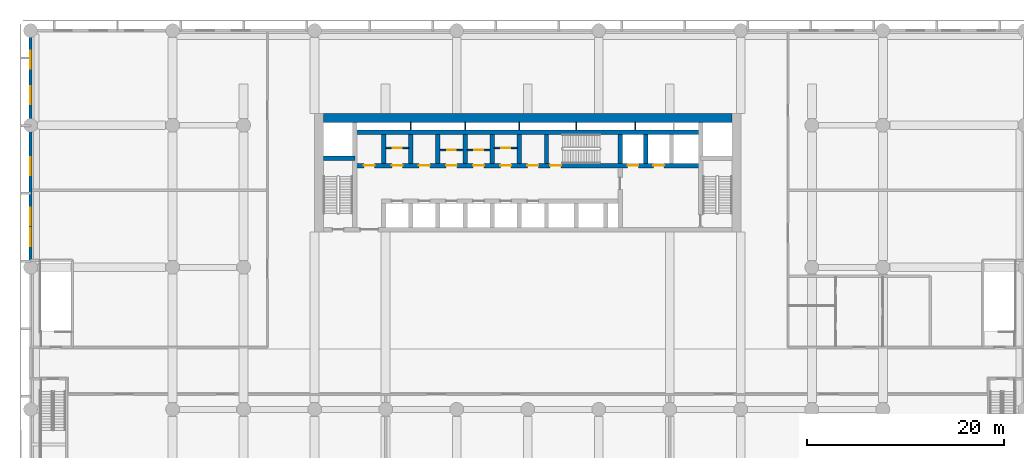
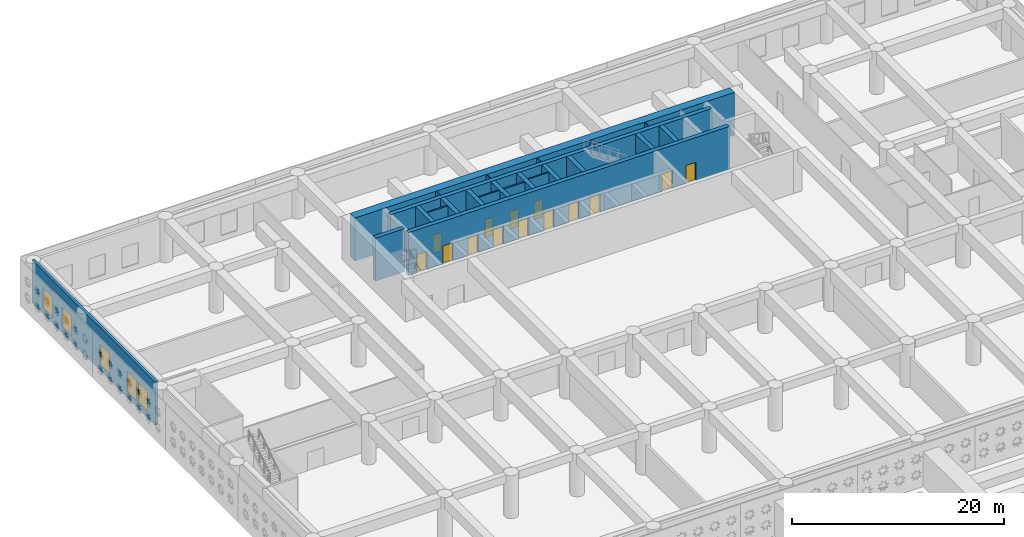
# One storey, part 7 of 24: 23 walls, 14 doors, 5 windows, 19 openings.
"""IFC4 building model written with IfcOpenShell, lengths in metres."""

from ifc_helpers import new_model, si_unit, direction, frame, frame_2d, origin, place, context, subcontext, project, spatial, rectangle, extrude, material, layer, layer_set, type_object, element, fill, save


model = new_model("IFC4")

# Units and contexts
model_context = context("Model", 3, precision=1e-05, world=origin(), true_north=direction((0.0, 1.0)))
body_context = subcontext(model_context, "Body", "Model", "MODEL_VIEW")
ifc_project = project(units=[si_unit("LENGTHUNIT", "METRE"), si_unit("AREAUNIT", "SQUARE_METRE"), si_unit("VOLUMEUNIT", "CUBIC_METRE"), si_unit("PLANEANGLEUNIT", "RADIAN"), si_unit("MASSUNIT", "GRAM", prefix="KILO")], contexts=[model_context])

# Site, building, storey
site_placement = place(None, origin())
site = spatial("IfcSite", under=ifc_project, at=site_placement, CompositionType="ELEMENT")
building_placement = place(site_placement, origin())
building = spatial("IfcBuilding", under=site, at=building_placement, Name="Saffron Iwan Residences", CompositionType="ELEMENT")
storey_placement = place(building_placement, frame((0.0, 0.0, 21.60009765625)))
storey = spatial("IfcBuildingStorey", under=building, at=storey_placement, Name="L04", CompositionType="ELEMENT", Elevation=21.60009765625)

# Wall, opening, door
ifc_material_1 = material(Name="Fire-rated plasterboard partition")
ifc_layer_1 = layer(ifc_material_1, 0.14990234375)
ifc_layer_set_1 = layer_set([ifc_layer_1], Name="Fire-rated plasterboard partition")
wall_type_1 = type_object("IfcWallType", Name="Core partition 150", PredefinedType="PARTITIONING", material=ifc_layer_set_1)
wall_1_placement = place(storey_placement, frame((36.02490234375, 74.51806640625, 0.0), z_axis=(0.0, 0.0, 1.0), x_axis=(1.0, 0.0, 0.0)))
wall_1 = element("IfcWall", 1, at=wall_1_placement, inside=storey, type_object=wall_type_1, Name="Core partition P01", PredefinedType="PARTITIONING", context=body_context, shape_type="SweptSolid", body=[
    extrude(rectangle(XDim=2.300048828125, YDim=0.14990234375, at=frame_2d((1.14990234375, 0.0))), origin(), (0.0, 0.0, 1.0), 4.949951171875),
])
opening_1_placement = place(wall_1_placement, frame((0.699951171875, 0.0, 0.0)))
opening_1 = element("IfcOpeningElement", 2, at=opening_1_placement, cuts=wall_1, Name="Opening SB", PredefinedType="OPENING", context=body_context, shape_type="SweptSolid", body=[
    extrude(rectangle(XDim=0.89990234375, YDim=2.10009765625, at=frame_2d((0.449951171875, 1.050048828125))), frame((0.0, 0.0849609375, 0.0), z_axis=(0.0, -1.0, 0.0), x_axis=(1.0, 0.0, 0.0)), (0.0, 0.0, 1.0), 0.169921875),
])
ifc_material_2 = material(Name="Steel fire door", Category="steel")
door_type_1 = type_object("IfcDoorType", Name="Store door 900", OperationType="NOTDEFINED", PredefinedType="DOOR", material=ifc_material_2)
door_1_placement = place(opening_1_placement, origin())
door_1 = element("IfcDoor", 3, at=door_1_placement, inside=storey, type_object=door_type_1, Name="Door Equipment store", OperationType="SINGLE_SWING_RIGHT", OverallHeight=2.10009765625, OverallWidth=0.89990234375, PredefinedType="DOOR", context=body_context, shape_type="SweptSolid", body=[
    extrude(rectangle(XDim=0.89990234375, YDim=2.10009765625, at=frame_2d((0.449951171875, 1.050048828125))), frame((0.0, 0.02490234375, 0.0), z_axis=(0.0, -1.0, 0.0), x_axis=(1.0, 0.0, 0.0)), (0.0, 0.0, 1.0), 0.050048828125),
])
fill(opening_1, door_1)

wall_2_placement = place(storey_placement, frame((41.52490234375, 74.281982421875, 0.0), z_axis=(0.0, 0.0, 1.0), x_axis=(1.0, 0.0, 0.0)))
wall_2 = element("IfcWall", 4, at=wall_2_placement, inside=storey, type_object=wall_type_1, Name="Core partition P02", PredefinedType="PARTITIONING", context=body_context, shape_type="SweptSolid", body=[
    extrude(rectangle(XDim=2.300048828125, YDim=0.14990234375, at=frame_2d((1.14990234375, 0.0))), origin(), (0.0, 0.0, 1.0), 4.949951171875),
])
opening_2_placement = place(wall_2_placement, frame((0.699951171875, 0.0, 0.0)))
opening_2 = element("IfcOpeningElement", 5, at=opening_2_placement, cuts=wall_2, Name="Opening SB", PredefinedType="OPENING", context=body_context, shape_type="SweptSolid", body=[
    extrude(rectangle(XDim=0.89990234375, YDim=2.10009765625, at=frame_2d((0.449951171875, 1.050048828125))), frame((0.0, 0.0849609375, 0.0), z_axis=(0.0, -1.0, 0.0), x_axis=(1.0, 0.0, 0.0)), (0.0, 0.0, 1.0), 0.169921875),
])
door_2_placement = place(opening_2_placement, origin())
door_2 = element("IfcDoor", 6, at=door_2_placement, inside=storey, type_object=door_type_1, Name="Door Spares store", OperationType="SINGLE_SWING_LEFT", OverallHeight=2.10009765625, OverallWidth=0.89990234375, PredefinedType="DOOR", context=body_context, shape_type="SweptSolid", body=[
    extrude(rectangle(XDim=0.89990234375, YDim=2.10009765625, at=frame_2d((0.449951171875, 1.050048828125))), frame((0.0, 0.02490234375, 0.0), z_axis=(0.0, -1.0, 0.0), x_axis=(1.0, 0.0, 0.0)), (0.0, 0.0, 1.0), 0.050048828125),
])
fill(opening_2, door_2)

wall_3_placement = place(storey_placement, frame((44.27490234375, 74.281982421875, 0.0), z_axis=(0.0, 0.0, 1.0), x_axis=(1.0, 0.0, 0.0)))
wall_3 = element("IfcWall", 7, at=wall_3_placement, inside=storey, type_object=wall_type_1, Name="Core partition P03", PredefinedType="PARTITIONING", context=body_context, shape_type="SweptSolid", body=[
    extrude(rectangle(XDim=2.300048828125, YDim=0.14990234375, at=frame_2d((1.14990234375, 0.0))), origin(), (0.0, 0.0, 1.0), 4.949951171875),
])
opening_3_placement = place(wall_3_placement, frame((0.699951171875, 0.0, 0.0)))
opening_3 = element("IfcOpeningElement", 8, at=opening_3_placement, cuts=wall_3, Name="Opening SB", PredefinedType="OPENING", context=body_context, shape_type="SweptSolid", body=[
    extrude(rectangle(XDim=0.89990234375, YDim=2.10009765625, at=frame_2d((0.449951171875, 1.050048828125))), frame((0.0, 0.0849609375, 0.0), z_axis=(0.0, -1.0, 0.0), x_axis=(1.0, 0.0, 0.0)), (0.0, 0.0, 1.0), 0.169921875),
])
door_3_placement = place(opening_3_placement, origin())
door_3 = element("IfcDoor", 9, at=door_3_placement, inside=storey, type_object=door_type_1, Name="Door Battery room", OperationType="SINGLE_SWING_RIGHT", OverallHeight=2.10009765625, OverallWidth=0.89990234375, PredefinedType="DOOR", context=body_context, shape_type="SweptSolid", body=[
    extrude(rectangle(XDim=0.89990234375, YDim=2.10009765625, at=frame_2d((0.449951171875, 1.050048828125))), frame((0.0, 0.02490234375, 0.0), z_axis=(0.0, -1.0, 0.0), x_axis=(1.0, 0.0, 0.0)), (0.0, 0.0, 1.0), 0.050048828125),
])
fill(opening_3, door_3)

wall_4_placement = place(storey_placement, frame((47.02490234375, 74.51806640625, 0.0), z_axis=(0.0, 0.0, 1.0), x_axis=(1.0, 0.0, 0.0)))
wall_4 = element("IfcWall", 10, at=wall_4_placement, inside=storey, type_object=wall_type_1, Name="Core partition P04", PredefinedType="PARTITIONING", context=body_context, shape_type="SweptSolid", body=[
    extrude(rectangle(XDim=2.300048828125, YDim=0.14990234375, at=frame_2d((1.14990234375, 0.0))), origin(), (0.0, 0.0, 1.0), 4.949951171875),
])
opening_4_placement = place(wall_4_placement, frame((0.699951171875, 0.0, 0.0)))
opening_4 = element("IfcOpeningElement", 11, at=opening_4_placement, cuts=wall_4, Name="Opening SB", PredefinedType="OPENING", context=body_context, shape_type="SweptSolid", body=[
    extrude(rectangle(XDim=0.89990234375, YDim=2.10009765625, at=frame_2d((0.449951171875, 1.050048828125))), frame((0.0, 0.0849609375, 0.0), z_axis=(0.0, -1.0, 0.0), x_axis=(1.0, 0.0, 0.0)), (0.0, 0.0, 1.0), 0.169921875),
])
door_4_placement = place(opening_4_placement, origin())
door_4 = element("IfcDoor", 12, at=door_4_placement, inside=storey, type_object=door_type_1, Name="Door Records store", OperationType="SINGLE_SWING_RIGHT", OverallHeight=2.10009765625, OverallWidth=0.89990234375, PredefinedType="DOOR", context=body_context, shape_type="SweptSolid", body=[
    extrude(rectangle(XDim=0.89990234375, YDim=2.10009765625, at=frame_2d((0.449951171875, 1.050048828125))), frame((0.0, 0.02490234375, 0.0), z_axis=(0.0, -1.0, 0.0), x_axis=(1.0, 0.0, 0.0)), (0.0, 0.0, 1.0), 0.050048828125),
])
fill(opening_4, door_4)

# Wall, openings, windows
ifc_material_3 = material(Name="Precast concrete C40/50", Category="concrete")
ifc_layer_2 = layer(ifc_material_3, 0.300048828125)
ifc_layer_set_2 = layer_set([ifc_layer_2], Name="Precast concrete C40/50")
wall_type_2 = type_object("IfcWallType", Name="Podium external wall 300", PredefinedType="SOLIDWALL", material=ifc_layer_set_2)
wall_5_placement = place(storey_placement, frame((0.0, 63.10009765625, 0.0), z_axis=(0.0, 0.0, 1.0), x_axis=(0.0, 1.0, 0.0)))
wall_5 = element("IfcWall", 13, at=wall_5_placement, inside=storey, type_object=wall_type_2, Name="W-L04-020", PredefinedType="SOLIDWALL", context=body_context, shape_type="SweptSolid", body=[
    extrude(rectangle(XDim=23.2998046875, YDim=0.300048828125, at=frame_2d((11.64990234375, 0.0))), origin(), (0.0, 0.0, 1.0), 4.949951171875),
])
opening_5_placement = place(wall_5_placement, frame((1.449951171875, 0.0, 0.60009765625)))
opening_5 = element("IfcOpeningElement", 14, at=opening_5_placement, cuts=wall_5, Name="Opening W7", PredefinedType="OPENING", context=body_context, shape_type="SweptSolid", body=[
    extrude(rectangle(XDim=1.800048828125, YDim=2.39990234375, at=frame_2d((0.89990234375, 1.199951171875))), frame((0.0, 0.16015625, 0.0), z_axis=(0.0, -1.0, 0.0), x_axis=(1.0, 0.0, 0.0)), (0.0, 0.0, 1.0), 0.320068359375),
])
opening_6_placement = place(wall_5_placement, frame((3.550048828125, 0.0, 0.60009765625)))
opening_6 = element("IfcOpeningElement", 15, at=opening_6_placement, cuts=wall_5, Name="Opening W7", PredefinedType="OPENING", context=body_context, shape_type="SweptSolid", body=[
    extrude(rectangle(XDim=1.800048828125, YDim=2.39990234375, at=frame_2d((0.89990234375, 1.199951171875))), frame((0.0, 0.16015625, 0.0), z_axis=(0.0, -1.0, 0.0), x_axis=(1.0, 0.0, 0.0)), (0.0, 0.0, 1.0), 0.320068359375),
])
opening_7_placement = place(wall_5_placement, frame((8.64990234375, 0.0, 0.60009765625)))
opening_7 = element("IfcOpeningElement", 16, at=opening_7_placement, cuts=wall_5, Name="Opening W7", PredefinedType="OPENING", context=body_context, shape_type="SweptSolid", body=[
    extrude(rectangle(XDim=1.800048828125, YDim=2.39990234375, at=frame_2d((0.89990234375, 1.199951171875))), frame((0.0, 0.16015625, 0.0), z_axis=(0.0, -1.0, 0.0), x_axis=(1.0, 0.0, 0.0)), (0.0, 0.0, 1.0), 0.320068359375),
])
opening_8_placement = place(wall_5_placement, frame((15.85009765625, 0.0, 0.60009765625)))
opening_8 = element("IfcOpeningElement", 17, at=opening_8_placement, cuts=wall_5, Name="Opening W7", PredefinedType="OPENING", context=body_context, shape_type="SweptSolid", body=[
    extrude(rectangle(XDim=1.800048828125, YDim=2.39990234375, at=frame_2d((0.89990234375, 1.199951171875))), frame((0.0, 0.16015625, 0.0), z_axis=(0.0, -1.0, 0.0), x_axis=(1.0, 0.0, 0.0)), (0.0, 0.0, 1.0), 0.320068359375),
])
opening_9_placement = place(wall_5_placement, frame((19.449951171875, 0.0, 0.60009765625)))
opening_9 = element("IfcOpeningElement", 18, at=opening_9_placement, cuts=wall_5, Name="Opening W7", PredefinedType="OPENING", context=body_context, shape_type="SweptSolid", body=[
    extrude(rectangle(XDim=1.800048828125, YDim=2.39990234375, at=frame_2d((0.89990234375, 1.199951171875))), frame((0.0, 0.16015625, 0.0), z_axis=(0.0, -1.0, 0.0), x_axis=(1.0, 0.0, 0.0)), (0.0, 0.0, 1.0), 0.320068359375),
])
ifc_material_4 = material(Name="Clear glass, laminated double glazed", Category="glass")
window_type = type_object("IfcWindowType", Name="WINDOW 1800 x 2400 PODIUM", PartitioningType="DOUBLE_PANEL_VERTICAL", PredefinedType="WINDOW", material=ifc_material_4)
window_1_placement = place(opening_5_placement, origin())
window_1 = element("IfcWindow", 19, at=window_1_placement, inside=storey, type_object=window_type, Name="Window L04 W-L04-020.0", OverallHeight=2.39990234375, OverallWidth=1.800048828125, PartitioningType="DOUBLE_PANEL_VERTICAL", PredefinedType="WINDOW", context=body_context, shape_type="SweptSolid", body=[
    extrude(rectangle(XDim=1.800048828125, YDim=2.39990234375, at=frame_2d((0.89990234375, 1.199951171875))), frame((0.0, 0.030029296875, 0.0), z_axis=(0.0, -1.0, 0.0), x_axis=(1.0, 0.0, 0.0)), (0.0, 0.0, 1.0), 0.06005859375),
])
fill(opening_5, window_1)
window_2_placement = place(opening_6_placement, origin())
window_2 = element("IfcWindow", 20, at=window_2_placement, inside=storey, type_object=window_type, Name="Window L04 W-L04-020.1", OverallHeight=2.39990234375, OverallWidth=1.800048828125, PartitioningType="DOUBLE_PANEL_VERTICAL", PredefinedType="WINDOW", context=body_context, shape_type="SweptSolid", body=[
    extrude(rectangle(XDim=1.800048828125, YDim=2.39990234375, at=frame_2d((0.89990234375, 1.199951171875))), frame((0.0, 0.030029296875, 0.0), z_axis=(0.0, -1.0, 0.0), x_axis=(1.0, 0.0, 0.0)), (0.0, 0.0, 1.0), 0.06005859375),
])
fill(opening_6, window_2)
window_3_placement = place(opening_7_placement, origin())
window_3 = element("IfcWindow", 21, at=window_3_placement, inside=storey, type_object=window_type, Name="Window L04 W-L04-020.2", OverallHeight=2.39990234375, OverallWidth=1.800048828125, PartitioningType="DOUBLE_PANEL_VERTICAL", PredefinedType="WINDOW", context=body_context, shape_type="SweptSolid", body=[
    extrude(rectangle(XDim=1.800048828125, YDim=2.39990234375, at=frame_2d((0.89990234375, 1.199951171875))), frame((0.0, 0.030029296875, 0.0), z_axis=(0.0, -1.0, 0.0), x_axis=(1.0, 0.0, 0.0)), (0.0, 0.0, 1.0), 0.06005859375),
])
fill(opening_7, window_3)
window_4_placement = place(opening_8_placement, origin())
window_4 = element("IfcWindow", 22, at=window_4_placement, inside=storey, type_object=window_type, Name="Window L04 W-L04-020.3", OverallHeight=2.39990234375, OverallWidth=1.800048828125, PartitioningType="DOUBLE_PANEL_VERTICAL", PredefinedType="WINDOW", context=body_context, shape_type="SweptSolid", body=[
    extrude(rectangle(XDim=1.800048828125, YDim=2.39990234375, at=frame_2d((0.89990234375, 1.199951171875))), frame((0.0, 0.030029296875, 0.0), z_axis=(0.0, -1.0, 0.0), x_axis=(1.0, 0.0, 0.0)), (0.0, 0.0, 1.0), 0.06005859375),
])
fill(opening_8, window_4)
window_5_placement = place(opening_9_placement, origin())
window_5 = element("IfcWindow", 23, at=window_5_placement, inside=storey, type_object=window_type, Name="Window L04 W-L04-020.4", OverallHeight=2.39990234375, OverallWidth=1.800048828125, PartitioningType="DOUBLE_PANEL_VERTICAL", PredefinedType="WINDOW", context=body_context, shape_type="SweptSolid", body=[
    extrude(rectangle(XDim=1.800048828125, YDim=2.39990234375, at=frame_2d((0.89990234375, 1.199951171875))), frame((0.0, 0.030029296875, 0.0), z_axis=(0.0, -1.0, 0.0), x_axis=(1.0, 0.0, 0.0)), (0.0, 0.0, 1.0), 0.06005859375),
])
fill(opening_9, window_5)

# Walls
ifc_layer_3 = layer(ifc_material_1, 0.10009765625)
ifc_layer_set_3 = layer_set([ifc_layer_3], Name="Fire-rated plasterboard partition")
wall_type_3 = type_object("IfcWallType", Name="Riser partition 100", PredefinedType="PARTITIONING", material=ifc_layer_set_3)
for number, where, z_axis, x_axis, name in (
    (24, (38.550048828125, 76.324951171875, 0.0), (0.0, 0.0, 1.0), (0.0, 1.0, 0.0), "Core partition P05"),
    (25, (44.050048828125, 76.324951171875, 0.0), (0.0, 0.0, 1.0), (0.0, 1.0, 0.0), "Core partition P06"),
    (26, (49.550048828125, 76.324951171875, 0.0), (0.0, 0.0, 1.0), (0.0, 1.0, 0.0), "Core partition P07"),
    (27, (55.300048828125, 76.324951171875, 0.0), (0.0, 0.0, 1.0), (0.0, 1.0, 0.0), "Core partition P08"),
    (28, (61.300048828125, 76.324951171875, 0.0), (0.0, 0.0, 1.0), (0.0, 1.0, 0.0), "Core partition P09"),
):
    element("IfcWall", number, at=place(storey_placement, frame(where, z_axis=z_axis, x_axis=x_axis)), inside=storey, type_object=wall_type_3, Name=name, PredefinedType="PARTITIONING", context=body_context, shape_type="SweptSolid", body=[
        extrude(rectangle(XDim=0.775146484375, YDim=0.10009765625, at=frame_2d((0.3876953125, 0.0))), origin(), (0.0, 0.0, 1.0), 4.949951171875),
    ])

# Wall, openings, doors
ifc_material_5 = material(Name="Concrete C60/75", Category="concrete")
ifc_layer_4 = layer(ifc_material_5, 0.449951171875)
ifc_layer_set_4 = layer_set([ifc_layer_4], Name="Concrete C60/75")
wall_type_4 = type_object("IfcWallType", Name="WALL CORE 450 C60/75 4950 HIGH", PredefinedType="SHEAR", material=ifc_layer_set_4)
wall_6_placement = place(storey_placement, frame((32.875, 72.699951171875, 0.0), z_axis=(0.0, 0.0, 1.0), x_axis=(1.0, 0.0, 0.0)))
wall_6 = element("IfcWall", 29, at=wall_6_placement, inside=storey, type_object=wall_type_4, Name="Core wall", PredefinedType="SHEAR", context=body_context, shape_type="SweptSolid", body=[
    extrude(rectangle(XDim=35.050048828125, YDim=0.449951171875, at=frame_2d((17.52490234375, 0.0))), origin(), (0.0, 0.0, 1.0), 4.949951171875),
])
opening_10_placement = place(wall_6_placement, frame((19.800048828125, 0.0, 0.0)))
opening_10 = element("IfcOpeningElement", 30, at=opening_10_placement, cuts=wall_6, Name="Opening SD", PredefinedType="OPENING", context=body_context, shape_type="SweptSolid", body=[
    extrude(rectangle(XDim=1.10009765625, YDim=2.10009765625, at=frame_2d((0.550048828125, 1.050048828125))), frame((0.0, 0.23486328125, 0.0), z_axis=(0.0, -1.0, 0.0), x_axis=(1.0, 0.0, 0.0)), (0.0, 0.0, 1.0), 0.469970703125),
])
opening_11_placement = place(wall_6_placement, frame((27.64990234375, 0.0, 0.0)))
opening_11 = element("IfcOpeningElement", 31, at=opening_11_placement, cuts=wall_6, Name="Opening LD", PredefinedType="OPENING", context=body_context, shape_type="SweptSolid", body=[
    extrude(rectangle(XDim=1.10009765625, YDim=2.10009765625, at=frame_2d((0.550048828125, 1.050048828125))), frame((0.0, 0.23486328125, 0.0), z_axis=(0.0, -1.0, 0.0), x_axis=(1.0, 0.0, 0.0)), (0.0, 0.0, 1.0), 0.469970703125),
])
opening_12_placement = place(wall_6_placement, frame((30.25, 0.0, 0.0)))
opening_12 = element("IfcOpeningElement", 32, at=opening_12_placement, cuts=wall_6, Name="Opening LD", PredefinedType="OPENING", context=body_context, shape_type="SweptSolid", body=[
    extrude(rectangle(XDim=1.10009765625, YDim=2.10009765625, at=frame_2d((0.550048828125, 1.050048828125))), frame((0.0, 0.23486328125, 0.0), z_axis=(0.0, -1.0, 0.0), x_axis=(1.0, 0.0, 0.0)), (0.0, 0.0, 1.0), 0.469970703125),
])
opening_13_placement = place(wall_6_placement, frame((3.75, 0.0, 0.0)))
opening_13 = element("IfcOpeningElement", 33, at=opening_13_placement, cuts=wall_6, Name="Opening SR", PredefinedType="OPENING", context=body_context, shape_type="SweptSolid", body=[
    extrude(rectangle(XDim=1.10009765625, YDim=2.10009765625, at=frame_2d((0.550048828125, 1.050048828125))), frame((0.0, 0.23486328125, 0.0), z_axis=(0.0, -1.0, 0.0), x_axis=(1.0, 0.0, 0.0)), (0.0, 0.0, 1.0), 0.469970703125),
])
opening_14_placement = place(wall_6_placement, frame((6.5, 0.0, 0.0)))
opening_14 = element("IfcOpeningElement", 34, at=opening_14_placement, cuts=wall_6, Name="Opening SR", PredefinedType="OPENING", context=body_context, shape_type="SweptSolid", body=[
    extrude(rectangle(XDim=1.10009765625, YDim=2.10009765625, at=frame_2d((0.550048828125, 1.050048828125))), frame((0.0, 0.23486328125, 0.0), z_axis=(0.0, -1.0, 0.0), x_axis=(1.0, 0.0, 0.0)), (0.0, 0.0, 1.0), 0.469970703125),
])
opening_15_placement = place(wall_6_placement, frame((9.25, 0.0, 0.0)))
opening_15 = element("IfcOpeningElement", 35, at=opening_15_placement, cuts=wall_6, Name="Opening SR", PredefinedType="OPENING", context=body_context, shape_type="SweptSolid", body=[
    extrude(rectangle(XDim=1.10009765625, YDim=2.10009765625, at=frame_2d((0.550048828125, 1.050048828125))), frame((0.0, 0.23486328125, 0.0), z_axis=(0.0, -1.0, 0.0), x_axis=(1.0, 0.0, 0.0)), (0.0, 0.0, 1.0), 0.469970703125),
])
opening_16_placement = place(wall_6_placement, frame((12.0, 0.0, 0.0)))
opening_16 = element("IfcOpeningElement", 36, at=opening_16_placement, cuts=wall_6, Name="Opening SR", PredefinedType="OPENING", context=body_context, shape_type="SweptSolid", body=[
    extrude(rectangle(XDim=1.10009765625, YDim=2.10009765625, at=frame_2d((0.550048828125, 1.050048828125))), frame((0.0, 0.23486328125, 0.0), z_axis=(0.0, -1.0, 0.0), x_axis=(1.0, 0.0, 0.0)), (0.0, 0.0, 1.0), 0.469970703125),
])
opening_17_placement = place(wall_6_placement, frame((14.75, 0.0, 0.0)))
opening_17 = element("IfcOpeningElement", 37, at=opening_17_placement, cuts=wall_6, Name="Opening SR", PredefinedType="OPENING", context=body_context, shape_type="SweptSolid", body=[
    extrude(rectangle(XDim=1.10009765625, YDim=2.10009765625, at=frame_2d((0.550048828125, 1.050048828125))), frame((0.0, 0.23486328125, 0.0), z_axis=(0.0, -1.0, 0.0), x_axis=(1.0, 0.0, 0.0)), (0.0, 0.0, 1.0), 0.469970703125),
])
opening_18_placement = place(wall_6_placement, frame((17.5, 0.0, 0.0)))
opening_18 = element("IfcOpeningElement", 38, at=opening_18_placement, cuts=wall_6, Name="Opening SR", PredefinedType="OPENING", context=body_context, shape_type="SweptSolid", body=[
    extrude(rectangle(XDim=1.10009765625, YDim=2.10009765625, at=frame_2d((0.550048828125, 1.050048828125))), frame((0.0, 0.23486328125, 0.0), z_axis=(0.0, -1.0, 0.0), x_axis=(1.0, 0.0, 0.0)), (0.0, 0.0, 1.0), 0.469970703125),
])
opening_19_placement = place(wall_6_placement, frame((0.91259765625, 0.0, 0.0)))
opening_19 = element("IfcOpeningElement", 39, at=opening_19_placement, cuts=wall_6, Name="Opening SR", PredefinedType="OPENING", context=body_context, shape_type="SweptSolid", body=[
    extrude(rectangle(XDim=1.10009765625, YDim=2.10009765625, at=frame_2d((0.550048828125, 1.050048828125))), frame((0.0, 0.23486328125, 0.0), z_axis=(0.0, -1.0, 0.0), x_axis=(1.0, 0.0, 0.0)), (0.0, 0.0, 1.0), 0.469970703125),
])
door_type_2 = type_object("IfcDoorType", Name="Lift landing door 1100", OperationType="SLIDING_TO_LEFT", PredefinedType="DOOR", material=ifc_material_2)
door_5_placement = place(opening_11_placement, origin())
door_5 = element("IfcDoor", 40, at=door_5_placement, inside=storey, type_object=door_type_2, Name="Landing doors FF1", OperationType="SLIDING_TO_LEFT", OverallHeight=2.10009765625, OverallWidth=1.10009765625, PredefinedType="DOOR", context=body_context, shape_type="SweptSolid", body=[
    extrude(rectangle(XDim=1.10009765625, YDim=2.10009765625, at=frame_2d((0.550048828125, 1.050048828125))), frame((0.0, 0.02490234375, 0.0), z_axis=(0.0, -1.0, 0.0), x_axis=(1.0, 0.0, 0.0)), (0.0, 0.0, 1.0), 0.050048828125),
])
fill(opening_11, door_5)
door_6_placement = place(opening_12_placement, origin())
door_6 = element("IfcDoor", 41, at=door_6_placement, inside=storey, type_object=door_type_2, Name="Landing doors FF2", OperationType="SLIDING_TO_LEFT", OverallHeight=2.10009765625, OverallWidth=1.10009765625, PredefinedType="DOOR", context=body_context, shape_type="SweptSolid", body=[
    extrude(rectangle(XDim=1.10009765625, YDim=2.10009765625, at=frame_2d((0.550048828125, 1.050048828125))), frame((0.0, 0.02490234375, 0.0), z_axis=(0.0, -1.0, 0.0), x_axis=(1.0, 0.0, 0.0)), (0.0, 0.0, 1.0), 0.050048828125),
])
fill(opening_12, door_6)
door_type_3 = type_object("IfcDoorType", Name="Service door 1100", OperationType="NOTDEFINED", PredefinedType="DOOR", material=ifc_material_2)
door_7_placement = place(opening_13_placement, origin())
door_7 = element("IfcDoor", 42, at=door_7_placement, inside=storey, type_object=door_type_3, Name="Door Linen store", OperationType="SINGLE_SWING_LEFT", OverallHeight=2.10009765625, OverallWidth=1.10009765625, PredefinedType="DOOR", context=body_context, shape_type="SweptSolid", body=[
    extrude(rectangle(XDim=1.10009765625, YDim=2.10009765625, at=frame_2d((0.550048828125, 1.050048828125))), frame((0.0, 0.02490234375, 0.0), z_axis=(0.0, -1.0, 0.0), x_axis=(1.0, 0.0, 0.0)), (0.0, 0.0, 1.0), 0.050048828125),
])
fill(opening_13, door_7)
door_8_placement = place(opening_14_placement, origin())
door_8 = element("IfcDoor", 43, at=door_8_placement, inside=storey, type_object=door_type_3, Name="Door Pantry", OperationType="SINGLE_SWING_LEFT", OverallHeight=2.10009765625, OverallWidth=1.10009765625, PredefinedType="DOOR", context=body_context, shape_type="SweptSolid", body=[
    extrude(rectangle(XDim=1.10009765625, YDim=2.10009765625, at=frame_2d((0.550048828125, 1.050048828125))), frame((0.0, 0.02490234375, 0.0), z_axis=(0.0, -1.0, 0.0), x_axis=(1.0, 0.0, 0.0)), (0.0, 0.0, 1.0), 0.050048828125),
])
fill(opening_14, door_8)
door_9_placement = place(opening_15_placement, origin())
door_9 = element("IfcDoor", 44, at=door_9_placement, inside=storey, type_object=door_type_3, Name="Door Electrical room", OperationType="SINGLE_SWING_LEFT", OverallHeight=2.10009765625, OverallWidth=1.10009765625, PredefinedType="DOOR", context=body_context, shape_type="SweptSolid", body=[
    extrude(rectangle(XDim=1.10009765625, YDim=2.10009765625, at=frame_2d((0.550048828125, 1.050048828125))), frame((0.0, 0.02490234375, 0.0), z_axis=(0.0, -1.0, 0.0), x_axis=(1.0, 0.0, 0.0)), (0.0, 0.0, 1.0), 0.050048828125),
])
fill(opening_15, door_9)
door_10_placement = place(opening_16_placement, origin())
door_10 = element("IfcDoor", 45, at=door_10_placement, inside=storey, type_object=door_type_3, Name="Door Luggage store", OperationType="SINGLE_SWING_LEFT", OverallHeight=2.10009765625, OverallWidth=1.10009765625, PredefinedType="DOOR", context=body_context, shape_type="SweptSolid", body=[
    extrude(rectangle(XDim=1.10009765625, YDim=2.10009765625, at=frame_2d((0.550048828125, 1.050048828125))), frame((0.0, 0.02490234375, 0.0), z_axis=(0.0, -1.0, 0.0), x_axis=(1.0, 0.0, 0.0)), (0.0, 0.0, 1.0), 0.050048828125),
])
fill(opening_16, door_10)
door_11_placement = place(opening_17_placement, origin())
door_11 = element("IfcDoor", 46, at=door_11_placement, inside=storey, type_object=door_type_3, Name="Door Refuse store", OperationType="SINGLE_SWING_LEFT", OverallHeight=2.10009765625, OverallWidth=1.10009765625, PredefinedType="DOOR", context=body_context, shape_type="SweptSolid", body=[
    extrude(rectangle(XDim=1.10009765625, YDim=2.10009765625, at=frame_2d((0.550048828125, 1.050048828125))), frame((0.0, 0.02490234375, 0.0), z_axis=(0.0, -1.0, 0.0), x_axis=(1.0, 0.0, 0.0)), (0.0, 0.0, 1.0), 0.050048828125),
])
fill(opening_17, door_11)
door_12_placement = place(opening_18_placement, origin())
door_12 = element("IfcDoor", 47, at=door_12_placement, inside=storey, type_object=door_type_3, Name="Door Maintenance store", OperationType="SINGLE_SWING_LEFT", OverallHeight=2.10009765625, OverallWidth=1.10009765625, PredefinedType="DOOR", context=body_context, shape_type="SweptSolid", body=[
    extrude(rectangle(XDim=1.10009765625, YDim=2.10009765625, at=frame_2d((0.550048828125, 1.050048828125))), frame((0.0, 0.02490234375, 0.0), z_axis=(0.0, -1.0, 0.0), x_axis=(1.0, 0.0, 0.0)), (0.0, 0.0, 1.0), 0.050048828125),
])
fill(opening_18, door_12)
door_13_placement = place(opening_19_placement, origin())
door_13 = element("IfcDoor", 48, at=door_13_placement, inside=storey, type_object=door_type_3, Name="Door Service room", OperationType="SINGLE_SWING_LEFT", OverallHeight=2.10009765625, OverallWidth=1.10009765625, PredefinedType="DOOR", context=body_context, shape_type="SweptSolid", body=[
    extrude(rectangle(XDim=1.10009765625, YDim=2.10009765625, at=frame_2d((0.550048828125, 1.050048828125))), frame((0.0, 0.02490234375, 0.0), z_axis=(0.0, -1.0, 0.0), x_axis=(1.0, 0.0, 0.0)), (0.0, 0.0, 1.0), 0.050048828125),
])
fill(opening_19, door_13)
door_type_4 = type_object("IfcDoorType", Name="Stair door 1100", OperationType="NOTDEFINED", PredefinedType="DOOR", material=ifc_material_2)
door_14_placement = place(opening_10_placement, origin())
door_14 = element("IfcDoor", 49, at=door_14_placement, inside=storey, type_object=door_type_4, Name="Stair door ST-C", OperationType="SINGLE_SWING_LEFT", OverallHeight=2.10009765625, OverallWidth=1.10009765625, PredefinedType="DOOR", context=body_context, shape_type="SweptSolid", body=[
    extrude(rectangle(XDim=1.10009765625, YDim=2.10009765625, at=frame_2d((0.550048828125, 1.050048828125))), frame((0.0, 0.02490234375, 0.0), z_axis=(0.0, -1.0, 0.0), x_axis=(1.0, 0.0, 0.0)), (0.0, 0.0, 1.0), 0.050048828125),
])
fill(opening_10, door_14)

# Walls
wall_7_placement = place(storey_placement, frame((32.875, 76.10009765625, 0.0), z_axis=(0.0, 0.0, 1.0), x_axis=(1.0, 0.0, 0.0)))
element("IfcWall", 50, at=wall_7_placement, inside=storey, type_object=wall_type_4, Name="Core wall", PredefinedType="SHEAR", context=body_context, shape_type="SweptSolid", body=[
    extrude(rectangle(XDim=35.050048828125, YDim=0.449951171875, at=frame_2d((17.52490234375, 0.0))), origin(), (0.0, 0.0, 1.0), 4.949951171875),
])
wall_8_placement = place(storey_placement, frame((29.699951171875, 73.47509765625, 0.0), z_axis=(0.0, 0.0, 1.0), x_axis=(1.0, 0.0, 0.0)))
element("IfcWall", 51, at=wall_8_placement, inside=storey, type_object=wall_type_4, Name="Core wall", PredefinedType="SHEAR", context=body_context, shape_type="SweptSolid", body=[
    extrude(rectangle(XDim=3.175048828125, YDim=0.449951171875, at=frame_2d((1.58740234375, 0.0))), origin(), (0.0, 0.0, 1.0), 4.949951171875),
])
for number, where, z_axis, x_axis, name in (
    (52, (59.77490234375, 72.925048828125, 0.0), (0.0, 0.0, 1.0), (0.0, 1.0, 0.0), "Core wall"),
    (53, (35.800048828125, 72.925048828125, 0.0), (0.0, 0.0, 1.0), (0.0, 1.0, 0.0), "Core wall"),
    (54, (38.550048828125, 72.925048828125, 0.0), (0.0, 0.0, 1.0), (0.0, 1.0, 0.0), "Core wall"),
    (55, (41.300048828125, 72.925048828125, 0.0), (0.0, 0.0, 1.0), (0.0, 1.0, 0.0), "Core wall"),
    (56, (44.050048828125, 72.925048828125, 0.0), (0.0, 0.0, 1.0), (0.0, 1.0, 0.0), "Core wall"),
    (57, (46.800048828125, 72.925048828125, 0.0), (0.0, 0.0, 1.0), (0.0, 1.0, 0.0), "Core wall"),
    (58, (49.550048828125, 72.925048828125, 0.0), (0.0, 0.0, 1.0), (0.0, 1.0, 0.0), "Core wall"),
    (59, (52.300048828125, 72.925048828125, 0.0), (0.0, 0.0, 1.0), (0.0, 1.0, 0.0), "Core wall"),
    (60, (62.375, 72.925048828125, 0.0), (0.0, 0.0, 1.0), (0.0, 1.0, 0.0), "Core wall"),
):
    element("IfcWall", number, at=place(storey_placement, frame(where, z_axis=z_axis, x_axis=x_axis)), inside=storey, type_object=wall_type_4, Name=name, PredefinedType="SHEAR", context=body_context, shape_type="SweptSolid", body=[
        extrude(rectangle(XDim=2.949951171875, YDim=0.449951171875, at=frame_2d((1.47509765625, 0.0))), origin(), (0.0, 0.0, 1.0), 4.949951171875),
    ])
ifc_layer_5 = layer(ifc_material_5, 0.89990234375)
ifc_layer_set_5 = layer_set([ifc_layer_5], Name="Concrete C60/75")
wall_type_5 = type_object("IfcWallType", Name="WALL CORE 900 C60/75 4950 HIGH", PredefinedType="SHEAR", material=ifc_layer_set_5)
wall_9_placement = place(storey_placement, frame((29.699951171875, 77.550048828125, 0.0), z_axis=(0.0, 0.0, 1.0), x_axis=(1.0, 0.0, 0.0)))
element("IfcWall", 61, at=wall_9_placement, inside=storey, type_object=wall_type_5, Name="Core wall", PredefinedType="SHEAR", context=body_context, shape_type="SweptSolid", body=[
    extrude(rectangle(XDim=41.400146484375, YDim=0.89990234375, at=frame_2d((20.7001953125, 0.0))), origin(), (0.0, 0.0, 1.0), 4.949951171875),
])

save(model, "model.ifc")
